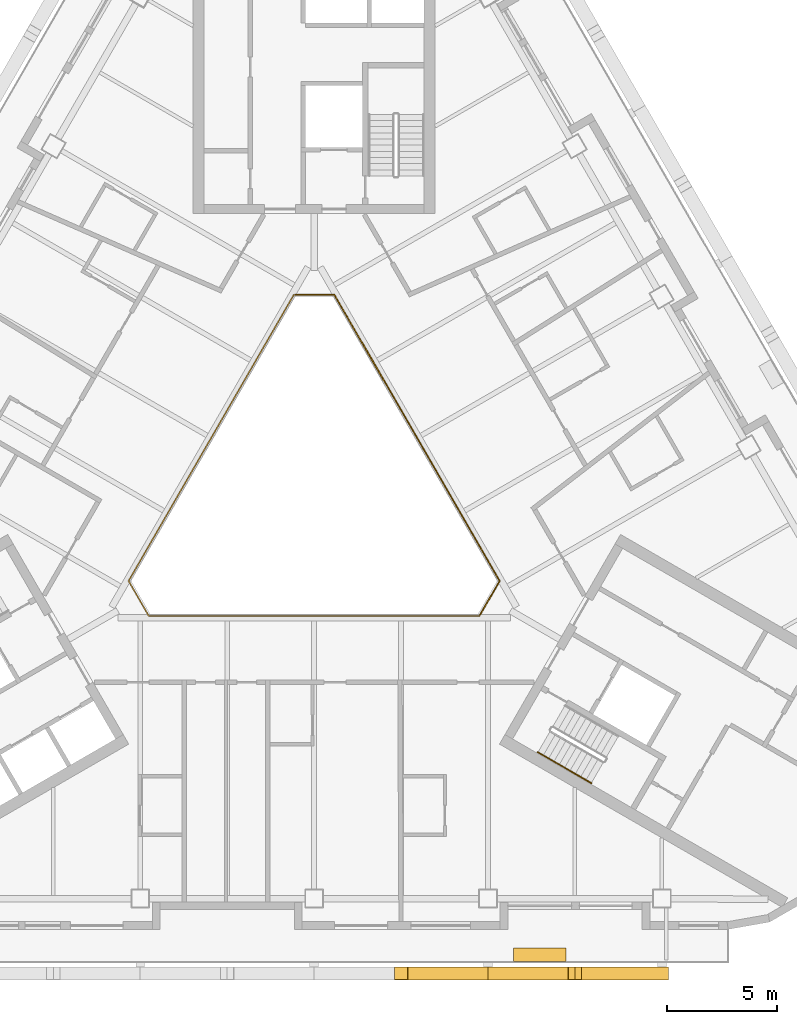
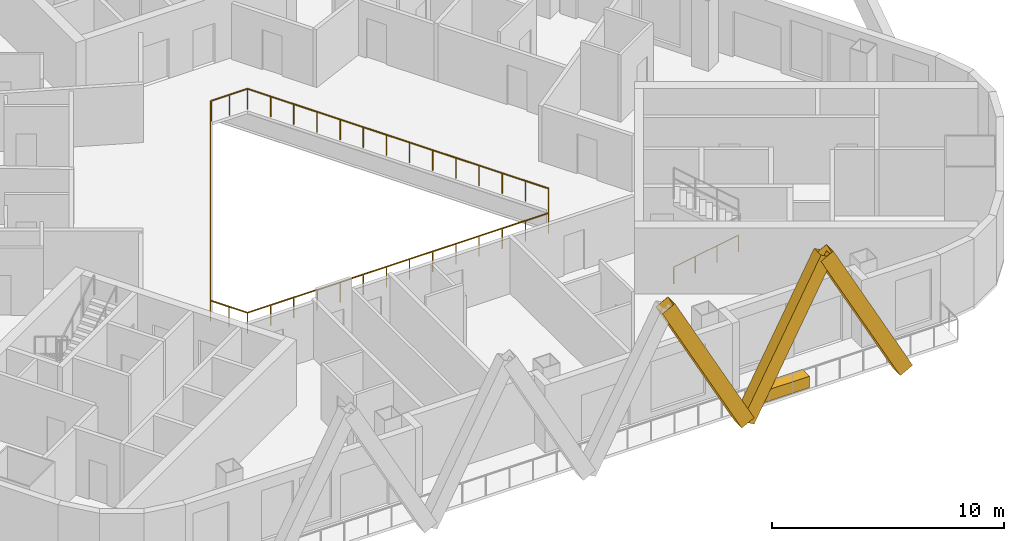
# One storey, part 11 of 14: 3 railings, 3 shading devices, 1 covering.
"""IFC4 building model written with IfcOpenShell, lengths in metres."""

from ifc_helpers import new_model, si_unit, direction, frame, origin, origin_2d, place, context, subcontext, project, spatial, rectangle, hollow_rectangle, circle, extrude, material, material_profile, profile_set, type_object, element, save


model = new_model("IFC4")

# Units and contexts
model_context = context("Model", 3, precision=1e-05, world=origin(), true_north=direction((0.0, 1.0)))
body_context = subcontext(model_context, "Body", "Model", "MODEL_VIEW")
ifc_project = project(units=[si_unit("LENGTHUNIT", "METRE"), si_unit("AREAUNIT", "SQUARE_METRE"), si_unit("VOLUMEUNIT", "CUBIC_METRE"), si_unit("PLANEANGLEUNIT", "RADIAN"), si_unit("MASSUNIT", "GRAM", prefix="KILO")], contexts=[model_context])

# Site, building, storey
site_placement = place(None, origin())
site = spatial("IfcSite", under=ifc_project, at=site_placement, CompositionType="ELEMENT")
building_placement = place(site_placement, origin())
building = spatial("IfcBuilding", under=site, at=building_placement, Name="Apuvela Tower Hotel", CompositionType="ELEMENT")
storey_placement = place(building_placement, frame((0.0, 0.0, 176.199951171875)))
storey = spatial("IfcBuildingStorey", under=building, at=storey_placement, Name="L42", CompositionType="ELEMENT", Elevation=176.199951171875)

# Railing
ifc_material_1 = material(Name="Stainless steel 316 handrail", Category="steel")
railing_type_1 = type_object("IfcRailingType", Name="COR-HANDRAIL-900", PredefinedType="HANDRAIL", material=ifc_material_1)
railing_1_placement = place(storey_placement, frame((10.1689453125, -11.5869140625, 0.168212890625)))
element("IfcRailing", 1, at=railing_1_placement, inside=storey, type_object=railing_type_1, Name="L42 ST3 stair handrail 1", PredefinedType="HANDRAIL", context=body_context, shape_type="SweptSolid", body=[
    extrude(circle(Radius=0.02392578125, at=origin_2d()), frame((0.0, 0.0, 0.8759765625), z_axis=(0.742390482028, -0.42860119049, 0.514934356695), x_axis=(0.49998411664, 0.866034573852, 0.0)), (0.0, 0.0, 1.0), 3.26611328125),
    extrude(rectangle(XDim=0.0419921875, YDim=0.0419921875, at=origin_2d()), origin(), (0.0, 0.0, 1.0), 0.851806640625),
    extrude(rectangle(XDim=0.0419921875, YDim=0.0419921875, at=origin_2d()), frame((0.808349609375, -0.466552734375, 0.560546875)), (0.0, 0.0, 1.0), 0.851806640625),
    extrude(rectangle(XDim=0.0419921875, YDim=0.0419921875, at=origin_2d()), frame((1.616455078125, -0.933349609375, 1.121337890625)), (0.0, 0.0, 1.0), 0.851806640625),
    extrude(rectangle(XDim=0.0419921875, YDim=0.0419921875, at=origin_2d()), frame((2.4248046875, -1.39990234375, 1.681884765625)), (0.0, 0.0, 1.0), 0.851806640625),
])

# Shading devices
ifc_material_2 = material(Name="Aluminium 6063-T6, black anodised", Category="aluminium")
ifc_material_profile = material_profile(ifc_material_2, hollow_rectangle(XDim=0.60009765625, YDim=0.699951171875, WallThickness=0.011962890625, at=origin_2d()), Name="AL BOX 700x600x12")
ifc_profile_set = profile_set([ifc_material_profile], Name="Aluminium 6063-T6, black anodised")
shading_device_type = type_object("IfcShadingDeviceType", Name="ENV-FIN-700x600", PredefinedType="USERDEFINED", material=ifc_profile_set)
for number, where, z_axis, x_axis, name in (
    (2, (7.89990234375, -21.6298828125, -0.099853515625), (-0.470897892863, 0.0, 0.882187720668), (0.0, -1.0, 0.0), "Lattice fin S326"),
    (3, (7.89990234375, -21.6298828125, -0.099853515625), (0.470920543904, 0.0, 0.882175629526), (0.0, 1.0, 0.0), "Lattice fin S327"),
    (4, (15.800048828125, -21.6298828125, -0.099853515625), (-0.470897892863, 0.0, 0.882187720668), (0.0, -1.0, 0.0), "Lattice fin S328"),
):
    element("IfcShadingDevice", number, at=place(storey_placement, frame(where, z_axis=z_axis, x_axis=x_axis)), inside=storey, type_object=shading_device_type, Name=name, ObjectType="FIN", PredefinedType="USERDEFINED", context=body_context, shape_type="SweptSolid", body=[
        extrude(hollow_rectangle(XDim=0.60009765625, YDim=0.699951171875, WallThickness=0.011962890625, at=origin_2d()), origin(), (0.0, 0.0, 1.0), 8.38818359375),
    ])

# Railings
ifc_material_3 = material(Name="Stainless steel 316 rail with laminated glass infill", Category="steel")
railing_type_2 = type_object("IfcRailingType", Name="ENV-GUARD-1100", PredefinedType="GUARDRAIL", material=ifc_material_3)
railing_2_placement = place(storey_placement, frame((-0.923828125, 9.199951171875, 0.0)))
element("IfcRailing", 5, at=railing_2_placement, inside=storey, type_object=railing_type_2, Name="Atrium void guard A L42", PredefinedType="GUARDRAIL", context=body_context, shape_type="SweptSolid", body=[
    extrude(rectangle(XDim=0.050048828125, YDim=0.050048828125, at=origin_2d()), frame((0.0, 0.0, 1.0751953125), z_axis=(-0.499990886379, -0.866030665472, 0.0), x_axis=(0.866030665472, -0.499990886379, 0.0)), (0.0, 0.0, 1.0), 15.010986328125),
    extrude(rectangle(XDim=0.050048828125, YDim=0.050048828125, at=origin_2d()), frame((-7.50537109375, -13.0, 1.0751953125), z_axis=(0.499962699187, -0.866046938348, 0.0), x_axis=(0.866046938348, 0.499962699187, 0.0)), (0.0, 0.0, 1.0), 1.847412109375),
    extrude(rectangle(XDim=0.050048828125, YDim=0.050048828125, at=origin_2d()), frame((-6.581787109375, -14.599853515625, 1.0751953125), z_axis=(1.0, 0.0, 0.0), x_axis=(0.0, 1.0, 0.0)), (0.0, 0.0, 1.0), 15.01123046875),
    extrude(rectangle(XDim=0.0400390625, YDim=0.0400390625, at=origin_2d()), origin(), (0.0, 0.0, 1.0), 1.050048828125),
    extrude(rectangle(XDim=0.0400390625, YDim=0.0400390625, at=origin_2d()), frame((-0.577392578125, -1.0, 0.0)), (0.0, 0.0, 1.0), 1.050048828125),
    extrude(rectangle(XDim=0.0400390625, YDim=0.0400390625, at=origin_2d()), frame((-1.15478515625, -2.0, 0.0)), (0.0, 0.0, 1.0), 1.050048828125),
    extrude(rectangle(XDim=0.0400390625, YDim=0.0400390625, at=origin_2d()), frame((-1.73193359375, -3.0, 0.0)), (0.0, 0.0, 1.0), 1.050048828125),
    extrude(rectangle(XDim=0.0400390625, YDim=0.0400390625, at=origin_2d()), frame((-2.309326171875, -4.0, 0.0)), (0.0, 0.0, 1.0), 1.050048828125),
    extrude(rectangle(XDim=0.0400390625, YDim=0.0400390625, at=origin_2d()), frame((-2.88671875, -5.0, 0.0)), (0.0, 0.0, 1.0), 1.050048828125),
    extrude(rectangle(XDim=0.0400390625, YDim=0.0400390625, at=origin_2d()), frame((-3.464111328125, -6.0, 0.0)), (0.0, 0.0, 1.0), 1.050048828125),
    extrude(rectangle(XDim=0.0400390625, YDim=0.0400390625, at=origin_2d()), frame((-4.041259765625, -7.0, 0.0)), (0.0, 0.0, 1.0), 1.050048828125),
    extrude(rectangle(XDim=0.0400390625, YDim=0.0400390625, at=origin_2d()), frame((-4.61865234375, -8.0, 0.0)), (0.0, 0.0, 1.0), 1.050048828125),
    extrude(rectangle(XDim=0.0400390625, YDim=0.0400390625, at=origin_2d()), frame((-5.196044921875, -9.0, 0.0)), (0.0, 0.0, 1.0), 1.050048828125),
    extrude(rectangle(XDim=0.0400390625, YDim=0.0400390625, at=origin_2d()), frame((-5.7734375, -10.0, 0.0)), (0.0, 0.0, 1.0), 1.050048828125),
    extrude(rectangle(XDim=0.0400390625, YDim=0.0400390625, at=origin_2d()), frame((-6.3505859375, -11.0, 0.0)), (0.0, 0.0, 1.0), 1.050048828125),
    extrude(rectangle(XDim=0.0400390625, YDim=0.0400390625, at=origin_2d()), frame((-6.927978515625, -12.0, 0.0)), (0.0, 0.0, 1.0), 1.050048828125),
    extrude(rectangle(XDim=0.0400390625, YDim=0.0400390625, at=origin_2d()), frame((-7.50537109375, -13.0, 0.0)), (0.0, 0.0, 1.0), 1.050048828125),
    extrude(rectangle(XDim=0.0400390625, YDim=0.0400390625, at=origin_2d()), frame((-7.04345703125, -13.7998046875, 0.0)), (0.0, 0.0, 1.0), 1.050048828125),
    extrude(rectangle(XDim=0.0400390625, YDim=0.0400390625, at=origin_2d()), frame((-6.581787109375, -14.599853515625, 0.0)), (0.0, 0.0, 1.0), 1.050048828125),
    extrude(rectangle(XDim=0.0400390625, YDim=0.0400390625, at=origin_2d()), frame((-5.427001953125, -14.599853515625, 0.0)), (0.0, 0.0, 1.0), 1.050048828125),
    extrude(rectangle(XDim=0.0400390625, YDim=0.0400390625, at=origin_2d()), frame((-4.2724609375, -14.599853515625, 0.0)), (0.0, 0.0, 1.0), 1.050048828125),
    extrude(rectangle(XDim=0.0400390625, YDim=0.0400390625, at=origin_2d()), frame((-3.11767578125, -14.599853515625, 0.0)), (0.0, 0.0, 1.0), 1.050048828125),
    extrude(rectangle(XDim=0.0400390625, YDim=0.0400390625, at=origin_2d()), frame((-1.962890625, -14.599853515625, 0.0)), (0.0, 0.0, 1.0), 1.050048828125),
    extrude(rectangle(XDim=0.0400390625, YDim=0.0400390625, at=origin_2d()), frame((-0.808349609375, -14.599853515625, 0.0)), (0.0, 0.0, 1.0), 1.050048828125),
    extrude(rectangle(XDim=0.0400390625, YDim=0.0400390625, at=origin_2d()), frame((0.346435546875, -14.599853515625, 0.0)), (0.0, 0.0, 1.0), 1.050048828125),
    extrude(rectangle(XDim=0.0400390625, YDim=0.0400390625, at=origin_2d()), frame((1.501220703125, -14.599853515625, 0.0)), (0.0, 0.0, 1.0), 1.050048828125),
    extrude(rectangle(XDim=0.0400390625, YDim=0.0400390625, at=origin_2d()), frame((2.656005859375, -14.599853515625, 0.0)), (0.0, 0.0, 1.0), 1.050048828125),
    extrude(rectangle(XDim=0.0400390625, YDim=0.0400390625, at=origin_2d()), frame((3.810546875, -14.599853515625, 0.0)), (0.0, 0.0, 1.0), 1.050048828125),
    extrude(rectangle(XDim=0.0400390625, YDim=0.0400390625, at=origin_2d()), frame((4.96533203125, -14.599853515625, 0.0)), (0.0, 0.0, 1.0), 1.050048828125),
    extrude(rectangle(XDim=0.0400390625, YDim=0.0400390625, at=origin_2d()), frame((6.1201171875, -14.599853515625, 0.0)), (0.0, 0.0, 1.0), 1.050048828125),
    extrude(rectangle(XDim=0.0400390625, YDim=0.0400390625, at=origin_2d()), frame((7.274658203125, -14.599853515625, 0.0)), (0.0, 0.0, 1.0), 1.050048828125),
    extrude(rectangle(XDim=0.0400390625, YDim=0.0400390625, at=origin_2d()), frame((8.429443359375, -14.599853515625, 0.0)), (0.0, 0.0, 1.0), 1.050048828125),
])
railing_3_placement = place(storey_placement, frame((7.53564453125, -5.347900390625, 0.0)))
element("IfcRailing", 6, at=railing_3_placement, inside=storey, type_object=railing_type_2, Name="Atrium void guard B L42", PredefinedType="GUARDRAIL", context=body_context, shape_type="SweptSolid", body=[
    extrude(rectangle(XDim=0.050048828125, YDim=0.050048828125, at=origin_2d()), frame((0.0, 0.0, 1.0751953125), z_axis=(0.499958946799, 0.866049104564, 0.0), x_axis=(-0.866049104564, 0.499958946799, 0.0)), (0.0, 0.0, 1.0), 1.787353515625),
    extrude(rectangle(XDim=0.050048828125, YDim=0.050048828125, at=origin_2d()), frame((0.8935546875, 1.5478515625, 1.0751953125), z_axis=(-0.499990886379, 0.866030665472, 0.0), x_axis=(-0.866030665472, -0.499990886379, 0.0)), (0.0, 0.0, 1.0), 15.010986328125),
    extrude(rectangle(XDim=0.050048828125, YDim=0.050048828125, at=origin_2d()), frame((-6.61181640625, 14.5478515625, 1.0751953125), z_axis=(-1.0, 0.0, 0.0), x_axis=(0.0, -1.0, 0.0)), (0.0, 0.0, 1.0), 1.78759765625),
    extrude(rectangle(XDim=0.0400390625, YDim=0.0400390625, at=origin_2d()), origin(), (0.0, 0.0, 1.0), 1.050048828125),
    extrude(rectangle(XDim=0.0400390625, YDim=0.0400390625, at=origin_2d()), frame((0.44677734375, 0.77392578125, 0.0)), (0.0, 0.0, 1.0), 1.050048828125),
    extrude(rectangle(XDim=0.0400390625, YDim=0.0400390625, at=origin_2d()), frame((0.8935546875, 1.5478515625, 0.0)), (0.0, 0.0, 1.0), 1.050048828125),
    extrude(rectangle(XDim=0.0400390625, YDim=0.0400390625, at=origin_2d()), frame((0.316162109375, 2.5478515625, 0.0)), (0.0, 0.0, 1.0), 1.050048828125),
    extrude(rectangle(XDim=0.0400390625, YDim=0.0400390625, at=origin_2d()), frame((-0.26123046875, 3.5478515625, 0.0)), (0.0, 0.0, 1.0), 1.050048828125),
    extrude(rectangle(XDim=0.0400390625, YDim=0.0400390625, at=origin_2d()), frame((-0.83837890625, 4.5478515625, 0.0)), (0.0, 0.0, 1.0), 1.050048828125),
    extrude(rectangle(XDim=0.0400390625, YDim=0.0400390625, at=origin_2d()), frame((-1.415771484375, 5.5478515625, 0.0)), (0.0, 0.0, 1.0), 1.050048828125),
    extrude(rectangle(XDim=0.0400390625, YDim=0.0400390625, at=origin_2d()), frame((-1.9931640625, 6.5478515625, 0.0)), (0.0, 0.0, 1.0), 1.050048828125),
    extrude(rectangle(XDim=0.0400390625, YDim=0.0400390625, at=origin_2d()), frame((-2.570556640625, 7.5478515625, 0.0)), (0.0, 0.0, 1.0), 1.050048828125),
    extrude(rectangle(XDim=0.0400390625, YDim=0.0400390625, at=origin_2d()), frame((-3.147705078125, 8.5478515625, 0.0)), (0.0, 0.0, 1.0), 1.050048828125),
    extrude(rectangle(XDim=0.0400390625, YDim=0.0400390625, at=origin_2d()), frame((-3.72509765625, 9.5478515625, 0.0)), (0.0, 0.0, 1.0), 1.050048828125),
    extrude(rectangle(XDim=0.0400390625, YDim=0.0400390625, at=origin_2d()), frame((-4.302490234375, 10.5478515625, 0.0)), (0.0, 0.0, 1.0), 1.050048828125),
    extrude(rectangle(XDim=0.0400390625, YDim=0.0400390625, at=origin_2d()), frame((-4.8798828125, 11.5478515625, 0.0)), (0.0, 0.0, 1.0), 1.050048828125),
    extrude(rectangle(XDim=0.0400390625, YDim=0.0400390625, at=origin_2d()), frame((-5.45703125, 12.5478515625, 0.0)), (0.0, 0.0, 1.0), 1.050048828125),
    extrude(rectangle(XDim=0.0400390625, YDim=0.0400390625, at=origin_2d()), frame((-6.034423828125, 13.5478515625, 0.0)), (0.0, 0.0, 1.0), 1.050048828125),
    extrude(rectangle(XDim=0.0400390625, YDim=0.0400390625, at=origin_2d()), frame((-6.61181640625, 14.5478515625, 0.0)), (0.0, 0.0, 1.0), 1.050048828125),
    extrude(rectangle(XDim=0.0400390625, YDim=0.0400390625, at=origin_2d()), frame((-7.505615234375, 14.5478515625, 0.0)), (0.0, 0.0, 1.0), 1.050048828125),
    extrude(rectangle(XDim=0.0400390625, YDim=0.0400390625, at=origin_2d()), frame((-8.3994140625, 14.5478515625, 0.0)), (0.0, 0.0, 1.0), 1.050048828125),
])

# Covering
ifc_material_4 = material(Name="Planting substrate and soil, planted")
covering_type = type_object("IfcCoveringType", Name="ENV-PLANTER-2400x600", PredefinedType="USERDEFINED", material=ifc_material_4)
covering_placement = place(storey_placement, frame((10.250244140625, -20.780029296875, 0.0), z_axis=(0.0, 0.0, 1.0), x_axis=(1.0, 0.0, 0.0)))
element("IfcCovering", 7, at=covering_placement, inside=storey, type_object=covering_type, Name="Planter S2", ObjectType="PLANTER", PredefinedType="USERDEFINED", context=body_context, shape_type="SweptSolid", body=[
    extrude(rectangle(XDim=2.39990234375, YDim=0.60009765625, at=origin_2d()), origin(), (0.0, 0.0, 1.0), 0.60009765625),
])

save(model, "model.ifc")
